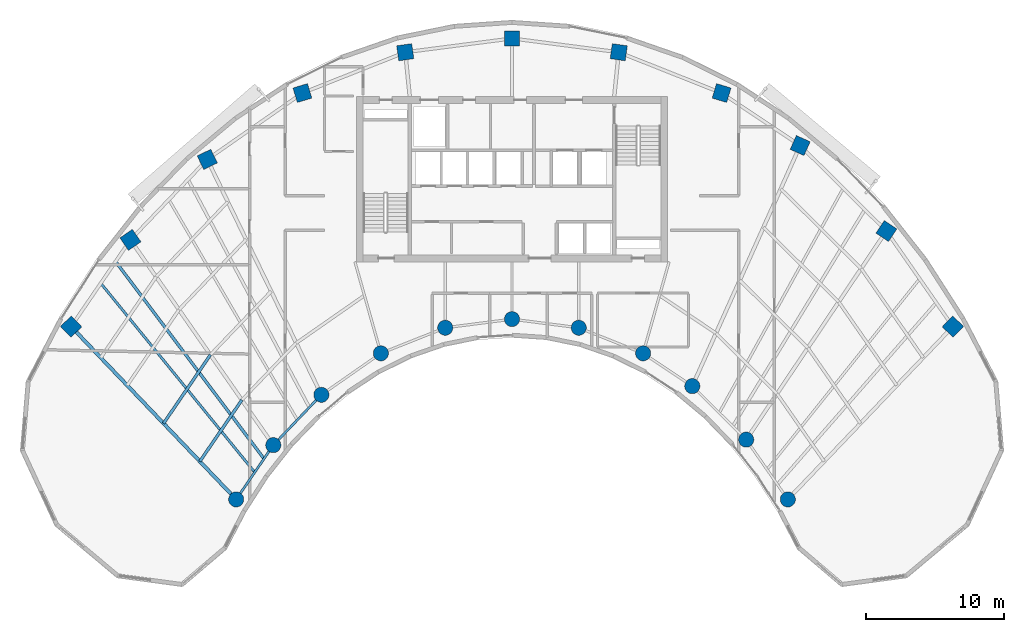
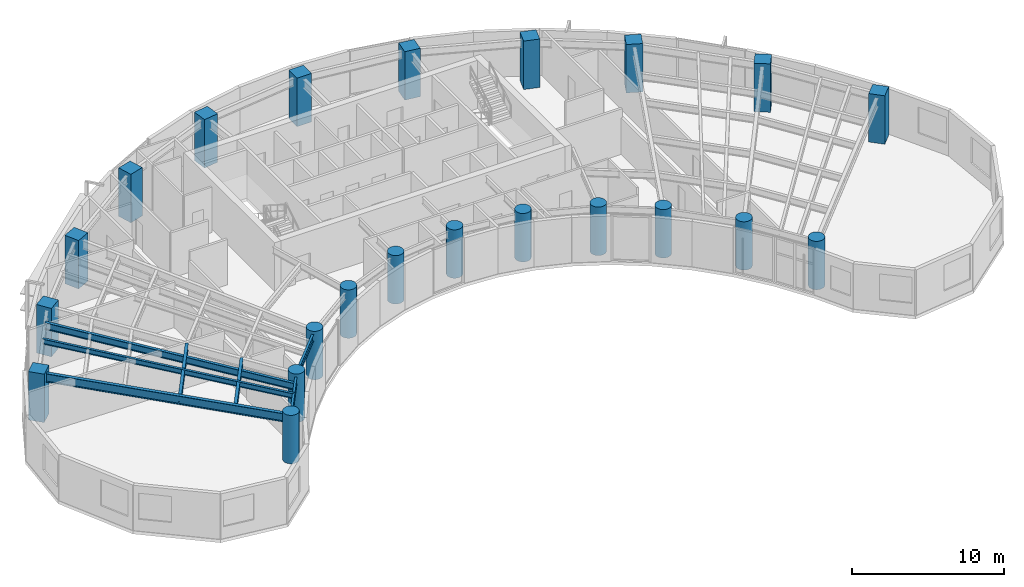
# One storey, part 1 of 13: 22 columns, 7 beams.
"""IFC4 building model written with IfcOpenShell, lengths in metres."""

from ifc_helpers import new_model, si_unit, direction, frame, origin, origin_2d, place, context, subcontext, project, spatial, rectangle, circle, i_section, extrude, source, transform, mapped, material, material_profile, profile_set, type_object, type_shapes, element, save


model = new_model("IFC4")

# Units and contexts
model_context = context("Model", 3, precision=1e-05, world=origin(), true_north=direction((0.0, 1.0)))
body_context = subcontext(model_context, "Body", "Model", "MODEL_VIEW")
ifc_project = project(units=[si_unit("LENGTHUNIT", "METRE"), si_unit("AREAUNIT", "SQUARE_METRE"), si_unit("VOLUMEUNIT", "CUBIC_METRE"), si_unit("PLANEANGLEUNIT", "RADIAN"), si_unit("MASSUNIT", "GRAM", prefix="KILO")], contexts=[model_context])

# Site, building, storey
site_placement = place(None, origin())
site = spatial("IfcSite", under=ifc_project, at=site_placement, CompositionType="ELEMENT")
building_placement = place(site_placement, origin())
building = spatial("IfcBuilding", under=site, at=building_placement, Name="Breltana Convention Tower", CompositionType="ELEMENT")
storey_placement = place(building_placement, frame((0.0, 0.0, 166.199951171875)))
storey = spatial("IfcBuildingStorey", under=building, at=storey_placement, Name="L40", CompositionType="ELEMENT", Elevation=166.199951171875)

# Columns
ifc_material_1 = material(Name="Concrete C60/75", Category="concrete")
ifc_material_profile_1 = material_profile(ifc_material_1, rectangle(XDim=1.10009765625, YDim=1.10009765625, at=origin_2d()), Name="RC-COL-1100X1100")
ifc_profile_set_1 = profile_set([ifc_material_profile_1], Name="Concrete C60/75")
column_type_1 = type_object("IfcColumnType", Name="COL-RC-1100", PredefinedType="COLUMN", material=ifc_profile_set_1)
shared_shape_1 = source(origin(), body_context, "Body", "SweptSolid", [
    extrude(rectangle(XDim=1.10009765625, YDim=1.10009765625, at=origin_2d()), origin(), (0.0, 0.0, 1.0), 3.900146484375),
])
for number, where, z_axis, x_axis, name in (
    (1, (16.0068359375, 55.494384765625, 0.0), (0.0, 0.0, 1.0), (-0.690756218984, 0.723087716626, 0.0), "L40 Tower Column R01-OUT"),
    (2, (20.310791015625, 61.78857421875, 0.0), (0.0, 0.0, 1.0), (-0.571143442153, 0.820850271661, 0.0), "L40 Tower Column R02-OUT"),
    (3, (25.8876953125, 67.626953125, 0.0), (0.0, 0.0, 1.0), (-0.436173672171, 0.899862504889, 0.0), "L40 Tower Column R03-OUT"),
    (4, (32.791015625, 72.4423828125, 0.0), (0.0, 0.0, 1.0), (-0.288697611798, 0.957420330337, 0.0), "L40 Tower Column R04-OUT"),
    (5, (40.253173828125, 75.404296875, 0.0), (0.0, 0.0, 1.0), (-0.143492621991, 0.98965138682, 0.0), "L40 Tower Column R05-OUT"),
    (6, (48.0, 76.404052734375, 0.0), (0.0, 0.0, 1.0), (0.0, 1.0, 0.0), "L40 Tower Column R06-OUT"),
    (7, (55.746826171875, 75.404296875, 0.0), (0.0, 0.0, 1.0), (0.143492621991, 0.98965138682, 0.0), "L40 Tower Column R07-OUT"),
    (8, (63.208984375, 72.4423828125, 0.0), (0.0, 0.0, 1.0), (0.288697611798, 0.957420330337, 0.0), "L40 Tower Column R08-OUT"),
    (9, (68.910400390625, 68.63330078125, 0.0), (0.0, 0.0, 1.0), (0.409126902895, 0.912477494148, 0.0), "L40 Tower Column R09-OUT"),
    (10, (75.166748046875, 62.43017578125, 0.0), (0.0, 0.0, 1.0), (0.55774510898, 0.830012285095, 0.0), "L40 Tower Column R10-OUT"),
    (11, (79.9931640625, 55.494384765625, 0.0), (0.0, 0.0, 1.0), (0.690756218984, 0.723087716626, 0.0), "L40 Tower Column R11-OUT"),
):
    element("IfcColumn", number, at=place(storey_placement, frame(where, z_axis=z_axis, x_axis=x_axis)), inside=storey, type_object=column_type_1, Name=name, PredefinedType="COLUMN", context=body_context, shape_type="MappedRepresentation", body=[
        mapped(shared_shape_1, transform((0.0, 0.0, 0.0), scale=1.0)),
    ])
ifc_material_2 = material(Name="Concrete C50/60", Category="concrete")
ifc_material_profile_2 = material_profile(ifc_material_2, circle(Radius=0.550048828125, at=origin_2d()), Name="RC-COL-D1100")
ifc_profile_set_2 = profile_set([ifc_material_profile_2], Name="Concrete C50/60")
column_type_2 = type_object("IfcColumnType", Name="COL-RC-D1100", PredefinedType="COLUMN", material=ifc_profile_set_2)
shared_shape_2 = source(origin(), body_context, "Body", "SweptSolid", [
    extrude(circle(Radius=0.550048828125, at=origin_2d()), origin(), (0.0, 0.0, 1.0), 3.900146484375),
])
for number, where, z_axis, x_axis, name in (
    (12, (27.984619140625, 42.95458984375, 0.0), (0.0, 0.0, 1.0), (-0.690756218984, 0.723087716626, 0.0), "L40 Tower Column R01-IN"),
    (13, (30.67724609375, 46.892333984375, 0.0), (0.0, 0.0, 1.0), (-0.571143442153, 0.820850271661, 0.0), "L40 Tower Column R02-IN"),
    (14, (34.166259765625, 50.544921875, 0.0), (0.0, 0.0, 1.0), (-0.436173672171, 0.899862504889, 0.0), "L40 Tower Column R03-IN"),
    (15, (38.485107421875, 53.5576171875, 0.0), (0.0, 0.0, 1.0), (-0.288697611798, 0.957420330337, 0.0), "L40 Tower Column R04-IN"),
    (16, (43.153564453125, 55.41064453125, 0.0), (0.0, 0.0, 1.0), (-0.143492621991, 0.98965138682, 0.0), "L40 Tower Column R05-IN"),
    (17, (48.0, 56.035888671875, 0.0), (0.0, 0.0, 1.0), (0.0, 1.0, 0.0), "L40 Tower Column R06-IN"),
    (18, (52.846435546875, 55.41064453125, 0.0), (0.0, 0.0, 1.0), (0.143492621991, 0.98965138682, 0.0), "L40 Tower Column R07-IN"),
    (19, (57.514892578125, 53.5576171875, 0.0), (0.0, 0.0, 1.0), (0.288697611798, 0.957420330337, 0.0), "L40 Tower Column R08-IN"),
    (20, (61.08203125, 51.174560546875, 0.0), (0.0, 0.0, 1.0), (0.409126902895, 0.912477494148, 0.0), "L40 Tower Column R09-IN"),
    (21, (64.995849609375, 47.293701171875, 0.0), (0.0, 0.0, 1.0), (0.55774510898, 0.830012285095, 0.0), "L40 Tower Column R10-IN"),
    (22, (68.015380859375, 42.95458984375, 0.0), (0.0, 0.0, 1.0), (0.690756218984, 0.723087716626, 0.0), "L40 Tower Column R11-IN"),
):
    element("IfcColumn", number, at=place(storey_placement, frame(where, z_axis=z_axis, x_axis=x_axis)), inside=storey, type_object=column_type_2, Name=name, PredefinedType="COLUMN", context=body_context, shape_type="MappedRepresentation", body=[
        mapped(shared_shape_2, transform((0.0, 0.0, 0.0), scale=1.0)),
    ])

# Beams
ifc_material_3 = material(Name="Steel ASTM A992 Grade 50", Category="steel")
ifc_material_profile_3 = material_profile(ifc_material_3, i_section(OverallWidth=0.179931640625, OverallDepth=0.4130859375, WebThickness=0.009765625, FlangeThickness=0.01611328125, at=origin_2d()), Name="W16X50")
ifc_profile_set_3 = profile_set([ifc_material_profile_3], Name="Steel ASTM A992 Grade 50")
beam_type_1 = type_object("IfcBeamType", Name="BM-JSG-08", PredefinedType="JOIST", material=ifc_profile_set_3)
shared_shape_3 = source(origin(), body_context, "Body", "SweptSolid", [
    extrude(i_section(OverallWidth=0.179931640625, OverallDepth=0.4130859375, WebThickness=0.009765625, FlangeThickness=0.01611328125, at=origin_2d()), origin(), (0.0, 0.0, 1.0), 17.691650390625),
])
type_shapes(beam_type_1, [shared_shape_3])
beam_1_placement = place(storey_placement, frame((29.330810546875, 44.923583984375, 3.443603515625), z_axis=(-0.631476958478, 0.775394642044, 0.0), x_axis=(-0.775394642044, -0.631476958478, 0.0)))
element("IfcBeam", 23, at=beam_1_placement, inside=storey, type_object=beam_type_1, Name="L40 Mid-Bay Radial Trimmer 01", PredefinedType="JOIST", context=body_context, shape_type="MappedRepresentation", body=[
    mapped(shared_shape_3, transform((0.0, 0.0, 0.0), scale=1.0)),
])
ifc_material_profile_4 = material_profile(ifc_material_3, i_section(OverallWidth=0.214111328125, OverallDepth=0.549072265625, WebThickness=0.0146484375, FlangeThickness=0.023681640625, at=origin_2d()), Name="W21X93")
ifc_profile_set_4 = profile_set([ifc_material_profile_4], Name="Steel ASTM A992 Grade 50")
beam_type_2 = type_object("IfcBeamType", Name="BM-JSG-03", PredefinedType="JOIST", material=ifc_profile_set_4)
shared_shape_4 = source(origin(), body_context, "Body", "SweptSolid", [
    extrude(i_section(OverallWidth=0.214111328125, OverallDepth=0.549072265625, WebThickness=0.0146484375, FlangeThickness=0.023681640625, at=origin_2d()), origin(), (0.0, 0.0, 1.0), 17.9072265625),
])
beam_2_placement = place(storey_placement, frame((30.00390625, 45.907958984375, 3.37548828125), z_axis=(-0.601382105028, 0.798961553363, 0.0), x_axis=(-0.798961553363, -0.601382105028, 0.0)))
element("IfcBeam", 24, at=beam_2_placement, inside=storey, type_object=beam_type_2, Name="L40 Quarter-Bay Radial Trimmer 01", PredefinedType="JOIST", context=body_context, shape_type="MappedRepresentation", body=[
    mapped(shared_shape_4, transform((0.0, 0.0, 0.0), scale=1.0)),
])
shared_shape_5 = source(origin(), body_context, "Body", "SweptSolid", [
    extrude(i_section(OverallWidth=0.214111328125, OverallDepth=0.549072265625, WebThickness=0.0146484375, FlangeThickness=0.023681640625, at=origin_2d()), origin(), (0.0, 0.0, 1.0), 5.3984375),
])
beam_3_placement = place(storey_placement, frame((25.349365234375, 45.71337890625, 3.37548828125), z_axis=(0.564440705434, 0.825473615599, 0.0), x_axis=(-0.825473615599, 0.564440705434, 0.0)))
element("IfcBeam", 25, at=beam_3_placement, inside=storey, type_object=beam_type_2, Name="L40 Composite Floor Joist 01.1", PredefinedType="JOIST", context=body_context, shape_type="MappedRepresentation", body=[
    mapped(shared_shape_5, transform((0.0, 0.0, 0.0), scale=1.0)),
])
shared_shape_6 = source(origin(), body_context, "Body", "SweptSolid", [
    extrude(i_section(OverallWidth=0.214111328125, OverallDepth=0.549072265625, WebThickness=0.0146484375, FlangeThickness=0.023681640625, at=origin_2d()), origin(), (0.0, 0.0, 1.0), 6.0263671875),
])
beam_4_placement = place(storey_placement, frame((22.71435546875, 48.47216796875, 3.37548828125), z_axis=(0.564450071397, 0.825467211281, 0.0), x_axis=(-0.825467211281, 0.564450071397, 0.0)))
element("IfcBeam", 26, at=beam_4_placement, inside=storey, type_object=beam_type_2, Name="L40 Composite Floor Joist 01.2", PredefinedType="JOIST", context=body_context, shape_type="MappedRepresentation", body=[
    mapped(shared_shape_6, transform((0.0, 0.0, 0.0), scale=1.0)),
])
ifc_material_profile_5 = material_profile(ifc_material_3, i_section(OverallWidth=0.25390625, OverallDepth=0.68798828125, WebThickness=0.01318359375, FlangeThickness=0.02099609375, at=origin_2d()), Name="W27X102")
ifc_profile_set_5 = profile_set([ifc_material_profile_5], Name="Steel ASTM A992 Grade 50")
beam_type_3 = type_object("IfcBeamType", Name="BM-RG-W27X102", PredefinedType="USERDEFINED", material=ifc_profile_set_5)
shared_shape_7 = source(origin(), body_context, "Body", "SweptSolid", [
    extrude(i_section(OverallWidth=0.25390625, OverallDepth=0.68798828125, WebThickness=0.01318359375, FlangeThickness=0.02099609375, at=origin_2d()), origin(), (0.0, 0.0, 1.0), 17.341064453125),
])
type_shapes(beam_type_3, [shared_shape_7])
beam_5_placement = place(storey_placement, frame((27.984619140625, 42.95458984375, 3.30615234375), z_axis=(-0.690716462293, 0.723125693581, 0.0), x_axis=(-0.723125693581, -0.690716462293, 0.0)))
element("IfcBeam", 27, at=beam_5_placement, inside=storey, type_object=beam_type_3, Name="L40 Radial Floor Girder R01", ObjectType="GIRDER", PredefinedType="USERDEFINED", context=body_context, shape_type="MappedRepresentation", body=[
    mapped(shared_shape_7, transform((0.0, 0.0, 0.0), scale=1.0)),
])
ifc_material_profile_6 = material_profile(ifc_material_3, i_section(OverallWidth=0.166015625, OverallDepth=0.534912109375, WebThickness=0.01025390625, FlangeThickness=0.0166015625, at=origin_2d()), Name="W21X57")
ifc_profile_set_6 = profile_set([ifc_material_profile_6], Name="Steel ASTM A992 Grade 50")
beam_type_4 = type_object("IfcBeamType", Name="BM-BM-W21X57", PredefinedType="BEAM", material=ifc_profile_set_6)
shared_shape_8 = source(origin(), body_context, "Body", "SweptSolid", [
    extrude(i_section(OverallWidth=0.166015625, OverallDepth=0.534912109375, WebThickness=0.01025390625, FlangeThickness=0.0166015625, at=origin_2d()), origin(), (0.0, 0.0, 1.0), 4.770263671875),
])
beam_6_placement = place(storey_placement, frame((27.984619140625, 42.95458984375, 3.382568359375), z_axis=(0.564452719055, 0.82546540082, 0.0), x_axis=(-0.82546540082, 0.564452719055, 0.0)))
element("IfcBeam", 28, at=beam_6_placement, inside=storey, type_object=beam_type_4, Name="L40 Inner Ring Beam 01", PredefinedType="BEAM", context=body_context, shape_type="MappedRepresentation", body=[
    mapped(shared_shape_8, transform((0.0, 0.0, 0.0), scale=1.0)),
])
shared_shape_9 = source(origin(), body_context, "Body", "SweptSolid", [
    extrude(i_section(OverallWidth=0.166015625, OverallDepth=0.534912109375, WebThickness=0.01025390625, FlangeThickness=0.0166015625, at=origin_2d()), origin(), (0.0, 0.0, 1.0), 5.05126953125),
])
beam_7_placement = place(storey_placement, frame((30.67724609375, 46.892333984375, 3.382568359375), z_axis=(0.690729753845, 0.7231129975, 0.0), x_axis=(-0.7231129975, 0.690729753845, 0.0)))
element("IfcBeam", 29, at=beam_7_placement, inside=storey, type_object=beam_type_4, Name="L40 Inner Ring Beam 02", PredefinedType="BEAM", context=body_context, shape_type="MappedRepresentation", body=[
    mapped(shared_shape_9, transform((0.0, 0.0, 0.0), scale=1.0)),
])

save(model, "model.ifc")
